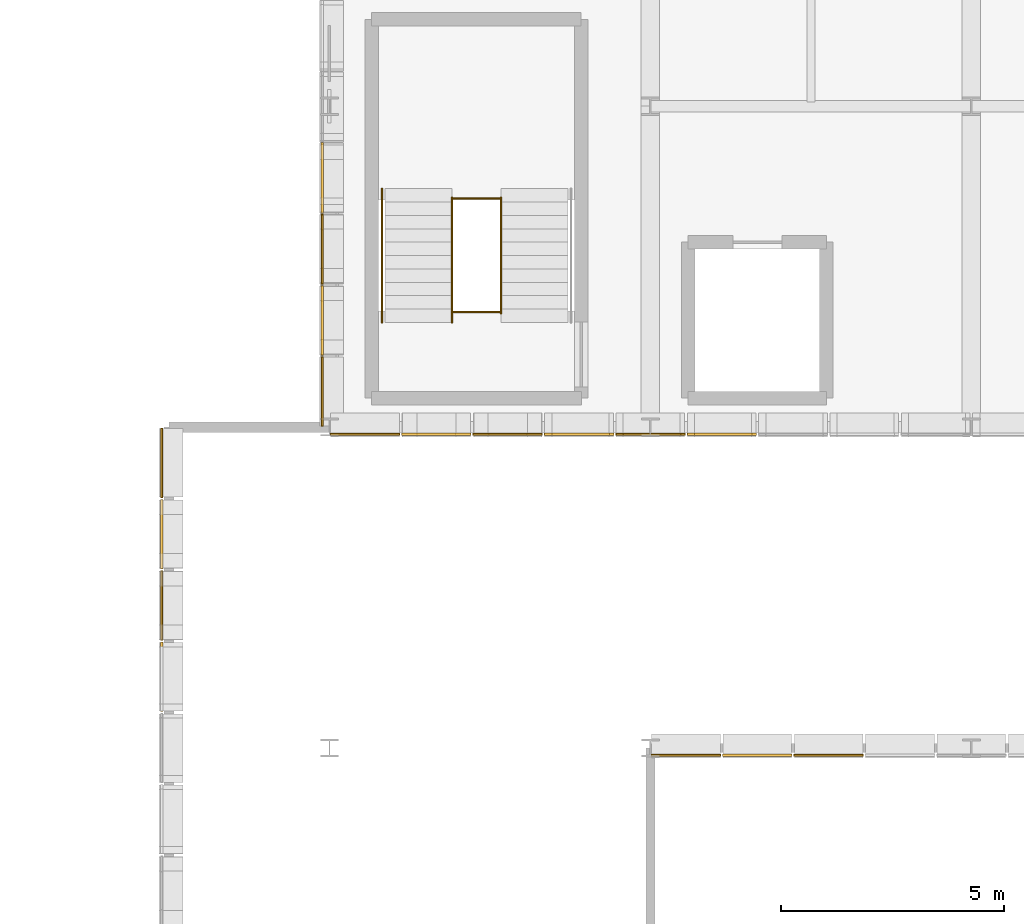
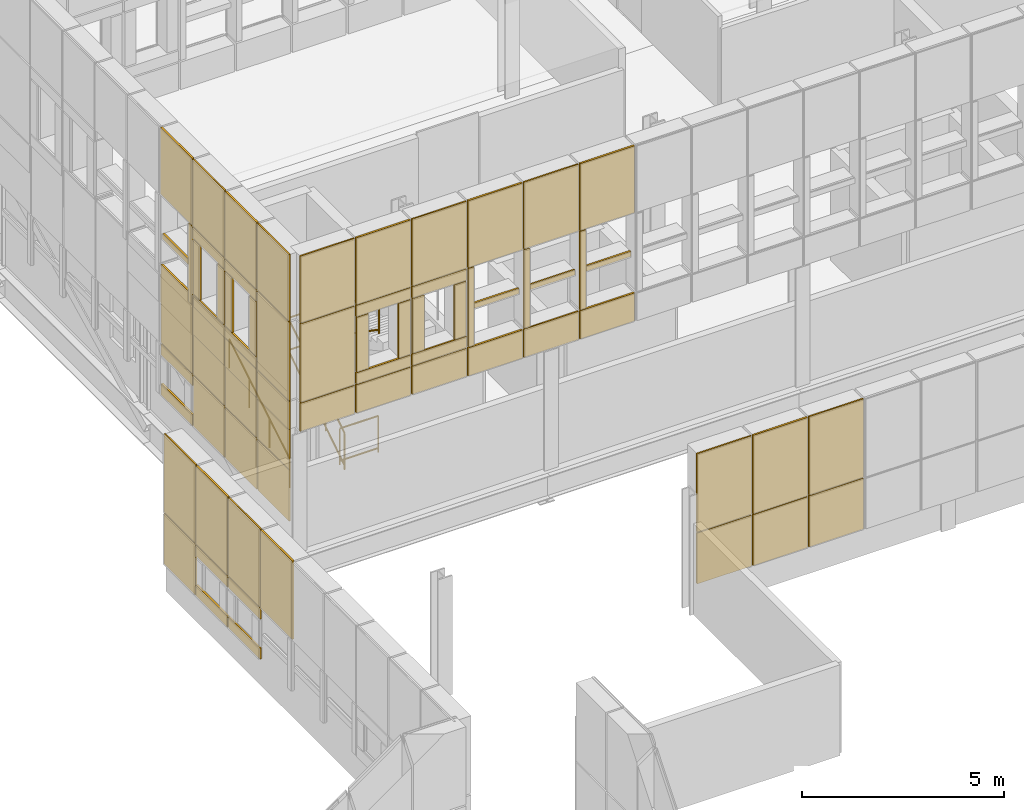
# One storey, part 78 of 96: 70 coverings, 5 railings.
"""IFC4 building model written with IfcOpenShell, lengths in metres."""

from ifc_helpers import new_model, si_unit, direction, frame, origin, origin_2d, place, context, subcontext, project, spatial, rectangle, circle, extrude, material, layer, layer_set, type_object, element, save


model = new_model("IFC4")

# Units and contexts
model_context = context("Model", 3, precision=1e-05, world=origin(), true_north=direction((0.0, 1.0)))
body_context = subcontext(model_context, "Body", "Model", "MODEL_VIEW")
ifc_project = project(units=[si_unit("LENGTHUNIT", "METRE"), si_unit("AREAUNIT", "SQUARE_METRE"), si_unit("VOLUMEUNIT", "CUBIC_METRE"), si_unit("PLANEANGLEUNIT", "RADIAN"), si_unit("MASSUNIT", "GRAM", prefix="KILO")], contexts=[model_context])

# Site, building, storey
site_placement = place(None, origin())
site = spatial("IfcSite", under=ifc_project, at=site_placement, CompositionType="ELEMENT")
building_placement = place(site_placement, origin())
building = spatial("IfcBuilding", under=site, at=building_placement, Name="Yarey Park Central Fire Station", CompositionType="ELEMENT")
storey_placement = place(building_placement, frame((0.0, 0.0, 14.39990234375)))
storey = spatial("IfcBuildingStorey", under=building, at=storey_placement, Name="L04", CompositionType="ELEMENT", Elevation=14.39990234375)

# Coverings
ifc_material_1 = material(Name="Perforated Powder-Coated Aluminium Cladding", Category="aluminium")
ifc_layer_1 = layer(ifc_material_1, 0.0419921875)
ifc_layer_set_1 = layer_set([ifc_layer_1], Name="Perforated Powder-Coated Aluminium Cladding")
covering_type_1 = type_object("IfcCoveringType", Name="ENV_COV_PERF_1", PredefinedType="CLADDING", material=ifc_layer_set_1)
for number, where, z_axis, x_axis, name in (
    (1, (25.0400390625, 53.60009765625, 0.85986328125), (0.0, 0.0, 1.0), (0.0, 1.0, 0.0), "PERF_L04_0580"),
    (2, (25.0400390625, 53.60009765625, 2.06982421875), (0.0, 0.0, 1.0), (0.0, 1.0, 0.0), "PERF_L04_0581"),
):
    element("IfcCovering", number, at=place(storey_placement, frame(where, z_axis=z_axis, x_axis=x_axis)), inside=storey, type_object=covering_type_1, Name=name, PredefinedType="CLADDING", context=body_context, shape_type="SweptSolid", body=[
        extrude(rectangle(XDim=1.56005859375, YDim=0.0419921875, at=origin_2d()), origin(), (0.0, 0.0, 1.0), 0.340087890625),
    ])
covering_1_placement = place(storey_placement, frame((25.0400390625, 53.60009765625, 2.43505859375), z_axis=(0.0, 0.0, 1.0), x_axis=(0.0, 1.0, 0.0)))
element("IfcCovering", 3, at=covering_1_placement, inside=storey, type_object=covering_type_1, Name="PERF_L04_0584", PredefinedType="CLADDING", context=body_context, shape_type="SweptSolid", body=[
    extrude(rectangle(XDim=1.56005859375, YDim=0.0419921875, at=origin_2d()), origin(), (0.0, 0.0, 1.0), 2.3701171875),
])
covering_2_placement = place(storey_placement, frame((25.0400390625, 56.800048828125, 0.864990234375), z_axis=(0.0, 0.0, 1.0), x_axis=(0.0, 1.0, 0.0)))
element("IfcCovering", 4, at=covering_2_placement, inside=storey, type_object=covering_type_1, Name="PERF_L04_0599", PredefinedType="CLADDING", context=body_context, shape_type="SweptSolid", body=[
    extrude(rectangle(XDim=1.56005859375, YDim=0.0419921875, at=origin_2d()), origin(), (0.0, 0.0, 1.0), 1.5400390625),
])
covering_3_placement = place(storey_placement, frame((25.0400390625, 56.800048828125, 2.43505859375), z_axis=(0.0, 0.0, 1.0), x_axis=(0.0, 1.0, 0.0)))
element("IfcCovering", 5, at=covering_3_placement, inside=storey, type_object=covering_type_1, Name="PERF_L04_0600", PredefinedType="CLADDING", context=body_context, shape_type="SweptSolid", body=[
    extrude(rectangle(XDim=1.56005859375, YDim=0.0419921875, at=origin_2d()), origin(), (0.0, 0.0, 1.0), 2.3701171875),
])
covering_4_placement = place(storey_placement, frame((28.639892578125, 58.396240234375, 0.864990234375), z_axis=(0.0, 0.0, 1.0), x_axis=(0.0, 1.0, 0.0)))
element("IfcCovering", 6, at=covering_4_placement, inside=storey, type_object=covering_type_1, Name="PERF_L04_0604", PredefinedType="CLADDING", context=body_context, shape_type="SweptSolid", body=[
    extrude(rectangle(XDim=1.55224609375, YDim=0.0419921875, at=origin_2d()), origin(), (0.0, 0.0, 1.0), 1.5400390625),
])
covering_5_placement = place(storey_placement, frame((28.639892578125, 58.396240234375, 2.43505859375), z_axis=(0.0, 0.0, 1.0), x_axis=(0.0, 1.0, 0.0)))
element("IfcCovering", 7, at=covering_5_placement, inside=storey, type_object=covering_type_1, Name="PERF_L04_0605", PredefinedType="CLADDING", context=body_context, shape_type="SweptSolid", body=[
    extrude(rectangle(XDim=1.55224609375, YDim=0.0419921875, at=origin_2d()), origin(), (0.0, 0.0, 1.0), 2.3701171875),
])
covering_6_placement = place(storey_placement, frame((28.639892578125, 61.580810546875, 0.864990234375), z_axis=(0.0, 0.0, 1.0), x_axis=(0.0, 1.0, 0.0)))
element("IfcCovering", 8, at=covering_6_placement, inside=storey, type_object=covering_type_1, Name="PERF_L04_0614", PredefinedType="CLADDING", context=body_context, shape_type="SweptSolid", body=[
    extrude(rectangle(XDim=1.55224609375, YDim=0.0419921875, at=origin_2d()), origin(), (0.0, 0.0, 1.0), 1.5400390625),
])
covering_7_placement = place(storey_placement, frame((28.639892578125, 61.580810546875, 2.43505859375), z_axis=(0.0, 0.0, 1.0), x_axis=(0.0, 1.0, 0.0)))
element("IfcCovering", 9, at=covering_7_placement, inside=storey, type_object=covering_type_1, Name="PERF_L04_0615", PredefinedType="CLADDING", context=body_context, shape_type="SweptSolid", body=[
    extrude(rectangle(XDim=1.55224609375, YDim=0.0419921875, at=origin_2d()), origin(), (0.0, 0.0, 1.0), 2.3701171875),
])
covering_8_placement = place(storey_placement, frame((36.800048828125, 50.239990234375, 0.864990234375), z_axis=(0.0, 0.0, 1.0), x_axis=(1.0, 0.0, 0.0)))
element("IfcCovering", 10, at=covering_8_placement, inside=storey, type_object=covering_type_1, Name="PERF_L04_1080", PredefinedType="CLADDING", context=body_context, shape_type="SweptSolid", body=[
    extrude(rectangle(XDim=1.56005859375, YDim=0.0419921875, at=origin_2d()), origin(), (0.0, 0.0, 1.0), 1.5400390625),
])
covering_9_placement = place(storey_placement, frame((36.800048828125, 50.239990234375, 2.43505859375), z_axis=(0.0, 0.0, 1.0), x_axis=(1.0, 0.0, 0.0)))
element("IfcCovering", 11, at=covering_9_placement, inside=storey, type_object=covering_type_1, Name="PERF_L04_1081", PredefinedType="CLADDING", context=body_context, shape_type="SweptSolid", body=[
    extrude(rectangle(XDim=1.56005859375, YDim=0.0419921875, at=origin_2d()), origin(), (0.0, 0.0, 1.0), 2.3701171875),
])
covering_10_placement = place(storey_placement, frame((40.0, 50.239990234375, 0.864990234375), z_axis=(0.0, 0.0, 1.0), x_axis=(1.0, 0.0, 0.0)))
element("IfcCovering", 12, at=covering_10_placement, inside=storey, type_object=covering_type_1, Name="PERF_L04_1090", PredefinedType="CLADDING", context=body_context, shape_type="SweptSolid", body=[
    extrude(rectangle(XDim=1.56005859375, YDim=0.0419921875, at=origin_2d()), origin(), (0.0, 0.0, 1.0), 1.5400390625),
])
covering_11_placement = place(storey_placement, frame((40.0, 50.239990234375, 2.43505859375), z_axis=(0.0, 0.0, 1.0), x_axis=(1.0, 0.0, 0.0)))
element("IfcCovering", 13, at=covering_11_placement, inside=storey, type_object=covering_type_1, Name="PERF_L04_1091", PredefinedType="CLADDING", context=body_context, shape_type="SweptSolid", body=[
    extrude(rectangle(XDim=1.56005859375, YDim=0.0419921875, at=origin_2d()), origin(), (0.0, 0.0, 1.0), 2.3701171875),
])
covering_12_placement = place(storey_placement, frame((29.60009765625, 57.43994140625, 3.635009765625), z_axis=(0.0, 0.0, 1.0), x_axis=(1.0, 0.0, 0.0)))
element("IfcCovering", 14, at=covering_12_placement, inside=storey, type_object=covering_type_1, Name="PERF_L04_1122", PredefinedType="CLADDING", context=body_context, shape_type="SweptSolid", body=[
    extrude(rectangle(XDim=1.56005859375, YDim=0.0419921875, at=origin_2d()), origin(), (0.0, 0.0, 1.0), 0.85009765625),
])
covering_13_placement = place(storey_placement, frame((29.60009765625, 57.43994140625, 4.51513671875), z_axis=(0.0, 0.0, 1.0), x_axis=(1.0, 0.0, 0.0)))
element("IfcCovering", 15, at=covering_13_placement, inside=storey, type_object=covering_type_1, Name="PERF_L04_1123", PredefinedType="CLADDING", context=body_context, shape_type="SweptSolid", body=[
    extrude(rectangle(XDim=1.56005859375, YDim=0.0419921875, at=origin_2d()), origin(), (0.0, 0.0, 1.0), 2.3701171875),
])
covering_14_placement = place(storey_placement, frame((29.60009765625, 57.43994140625, 6.9150390625), z_axis=(0.0, 0.0, 1.0), x_axis=(1.0, 0.0, 0.0)))
element("IfcCovering", 16, at=covering_14_placement, inside=storey, type_object=covering_type_1, Name="PERF_L04_1124", PredefinedType="CLADDING", context=body_context, shape_type="SweptSolid", body=[
    extrude(rectangle(XDim=1.56005859375, YDim=0.0419921875, at=origin_2d()), origin(), (0.0, 0.0, 1.0), 2.02001953125),
])
covering_15_placement = place(storey_placement, frame((32.800048828125, 57.43994140625, 3.635009765625), z_axis=(0.0, 0.0, 1.0), x_axis=(1.0, 0.0, 0.0)))
element("IfcCovering", 17, at=covering_15_placement, inside=storey, type_object=covering_type_1, Name="PERF_L04_1131", PredefinedType="CLADDING", context=body_context, shape_type="SweptSolid", body=[
    extrude(rectangle(XDim=1.56005859375, YDim=0.0419921875, at=origin_2d()), origin(), (0.0, 0.0, 1.0), 0.85009765625),
])
for number, where, z_axis, x_axis, name in (
    (18, (32.800048828125, 57.43994140625, 4.51025390625), (0.0, 0.0, 1.0), (1.0, 0.0, 0.0), "PERF_L04_1132"),
    (19, (32.800048828125, 57.43994140625, 6.55029296875), (0.0, 0.0, 1.0), (1.0, 0.0, 0.0), "PERF_L04_1133"),
):
    element("IfcCovering", number, at=place(storey_placement, frame(where, z_axis=z_axis, x_axis=x_axis)), inside=storey, type_object=covering_type_1, Name=name, PredefinedType="CLADDING", context=body_context, shape_type="SweptSolid", body=[
        extrude(rectangle(XDim=1.56005859375, YDim=0.0419921875, at=origin_2d()), origin(), (0.0, 0.0, 1.0), 0.340087890625),
    ])
for number, where, z_axis, x_axis, name in (
    (20, (32.199951171875, 57.43994140625, 4.875244140625), (0.0, 0.0, 1.0), (1.0, 0.0, 0.0), "PERF_L04_1134"),
    (21, (33.39990234375, 57.43994140625, 4.875244140625), (0.0, 0.0, 1.0), (1.0, 0.0, 0.0), "PERF_L04_1135"),
):
    element("IfcCovering", number, at=place(storey_placement, frame(where, z_axis=z_axis, x_axis=x_axis)), inside=storey, type_object=covering_type_1, Name=name, PredefinedType="CLADDING", context=body_context, shape_type="SweptSolid", body=[
        extrude(rectangle(XDim=0.340087890625, YDim=0.0419921875, at=origin_2d()), origin(), (0.0, 0.0, 1.0), 1.64990234375),
    ])
covering_16_placement = place(storey_placement, frame((32.800048828125, 57.43994140625, 6.9150390625), z_axis=(0.0, 0.0, 1.0), x_axis=(1.0, 0.0, 0.0)))
element("IfcCovering", 22, at=covering_16_placement, inside=storey, type_object=covering_type_1, Name="PERF_L04_1136", PredefinedType="CLADDING", context=body_context, shape_type="SweptSolid", body=[
    extrude(rectangle(XDim=1.56005859375, YDim=0.0419921875, at=origin_2d()), origin(), (0.0, 0.0, 1.0), 2.02001953125),
])
covering_17_placement = place(storey_placement, frame((36.0, 57.43994140625, 3.635009765625), z_axis=(0.0, 0.0, 1.0), x_axis=(1.0, 0.0, 0.0)))
element("IfcCovering", 23, at=covering_17_placement, inside=storey, type_object=covering_type_1, Name="PERF_L04_1141", PredefinedType="CLADDING", context=body_context, shape_type="SweptSolid", body=[
    extrude(rectangle(XDim=1.56005859375, YDim=0.0419921875, at=origin_2d()), origin(), (0.0, 0.0, 1.0), 0.85009765625),
])
covering_18_placement = place(storey_placement, frame((35.31005859375, 57.43994140625, 4.51513671875), z_axis=(0.0, 0.0, 1.0), x_axis=(1.0, 0.0, 0.0)))
element("IfcCovering", 24, at=covering_18_placement, inside=storey, type_object=covering_type_1, Name="PERF_L04_1142", PredefinedType="CLADDING", context=body_context, shape_type="SweptSolid", body=[
    extrude(rectangle(XDim=0.159912109375, YDim=0.0419921875, at=origin_2d()), origin(), (0.0, 0.0, 1.0), 2.3701171875),
])
covering_19_placement = place(storey_placement, frame((36.0, 57.43994140625, 5.6201171875), z_axis=(0.0, 0.0, 1.0), x_axis=(1.0, 0.0, 0.0)))
element("IfcCovering", 25, at=covering_19_placement, inside=storey, type_object=covering_type_1, Name="PERF_L04_1143", PredefinedType="CLADDING", context=body_context, shape_type="SweptSolid", body=[
    extrude(rectangle(XDim=1.360107421875, YDim=0.0419921875, at=origin_2d()), origin(), (0.0, 0.0, 1.0), 0.159912109375),
])
covering_20_placement = place(storey_placement, frame((36.0, 57.43994140625, 6.9150390625), z_axis=(0.0, 0.0, 1.0), x_axis=(1.0, 0.0, 0.0)))
element("IfcCovering", 26, at=covering_20_placement, inside=storey, type_object=covering_type_1, Name="PERF_L04_1144", PredefinedType="CLADDING", context=body_context, shape_type="SweptSolid", body=[
    extrude(rectangle(XDim=1.56005859375, YDim=0.0419921875, at=origin_2d()), origin(), (0.0, 0.0, 1.0), 2.02001953125),
])
covering_21_placement = place(storey_placement, frame((28.639892578125, 58.39990234375, 3.635009765625), z_axis=(0.0, 0.0, 1.0), x_axis=(0.0, 1.0, 0.0)))
element("IfcCovering", 27, at=covering_21_placement, inside=storey, type_object=covering_type_1, Name="PERF_L04_1278", PredefinedType="CLADDING", context=body_context, shape_type="SweptSolid", body=[
    extrude(rectangle(XDim=1.56005859375, YDim=0.0419921875, at=origin_2d()), origin(), (0.0, 0.0, 1.0), 0.85009765625),
])
covering_22_placement = place(storey_placement, frame((28.639892578125, 58.39990234375, 4.51513671875), z_axis=(0.0, 0.0, 1.0), x_axis=(0.0, 1.0, 0.0)))
element("IfcCovering", 28, at=covering_22_placement, inside=storey, type_object=covering_type_1, Name="PERF_L04_1279", PredefinedType="CLADDING", context=body_context, shape_type="SweptSolid", body=[
    extrude(rectangle(XDim=1.56005859375, YDim=0.0419921875, at=origin_2d()), origin(), (0.0, 0.0, 1.0), 2.3701171875),
])
covering_23_placement = place(storey_placement, frame((28.639892578125, 58.39990234375, 6.9150390625), z_axis=(0.0, 0.0, 1.0), x_axis=(0.0, 1.0, 0.0)))
element("IfcCovering", 29, at=covering_23_placement, inside=storey, type_object=covering_type_1, Name="PERF_L04_1280", PredefinedType="CLADDING", context=body_context, shape_type="SweptSolid", body=[
    extrude(rectangle(XDim=1.56005859375, YDim=0.0419921875, at=origin_2d()), origin(), (0.0, 0.0, 1.0), 2.02001953125),
])
covering_24_placement = place(storey_placement, frame((28.639892578125, 61.60009765625, 3.635009765625), z_axis=(0.0, 0.0, 1.0), x_axis=(0.0, 1.0, 0.0)))
element("IfcCovering", 30, at=covering_24_placement, inside=storey, type_object=covering_type_1, Name="PERF_L04_1287", PredefinedType="CLADDING", context=body_context, shape_type="SweptSolid", body=[
    extrude(rectangle(XDim=1.56005859375, YDim=0.0419921875, at=origin_2d()), origin(), (0.0, 0.0, 1.0), 0.85009765625),
])
for number, where, z_axis, x_axis, name in (
    (31, (28.639892578125, 61.60009765625, 4.51025390625), (0.0, 0.0, 1.0), (0.0, 1.0, 0.0), "PERF_L04_1288"),
    (32, (28.639892578125, 61.60009765625, 6.55029296875), (0.0, 0.0, 1.0), (0.0, 1.0, 0.0), "PERF_L04_1289"),
):
    element("IfcCovering", number, at=place(storey_placement, frame(where, z_axis=z_axis, x_axis=x_axis)), inside=storey, type_object=covering_type_1, Name=name, PredefinedType="CLADDING", context=body_context, shape_type="SweptSolid", body=[
        extrude(rectangle(XDim=1.56005859375, YDim=0.0419921875, at=origin_2d()), origin(), (0.0, 0.0, 1.0), 0.340087890625),
    ])
for number, where, z_axis, x_axis, name in (
    (33, (28.639892578125, 61.0, 4.875244140625), (0.0, 0.0, 1.0), (0.0, 1.0, 0.0), "PERF_L04_1290"),
    (34, (28.639892578125, 62.199951171875, 4.875244140625), (0.0, 0.0, 1.0), (0.0, 1.0, 0.0), "PERF_L04_1291"),
):
    element("IfcCovering", number, at=place(storey_placement, frame(where, z_axis=z_axis, x_axis=x_axis)), inside=storey, type_object=covering_type_1, Name=name, PredefinedType="CLADDING", context=body_context, shape_type="SweptSolid", body=[
        extrude(rectangle(XDim=0.340087890625, YDim=0.0419921875, at=origin_2d()), origin(), (0.0, 0.0, 1.0), 1.64990234375),
    ])
covering_25_placement = place(storey_placement, frame((28.639892578125, 61.60009765625, 6.9150390625), z_axis=(0.0, 0.0, 1.0), x_axis=(0.0, 1.0, 0.0)))
element("IfcCovering", 35, at=covering_25_placement, inside=storey, type_object=covering_type_1, Name="PERF_L04_1292", PredefinedType="CLADDING", context=body_context, shape_type="SweptSolid", body=[
    extrude(rectangle(XDim=1.56005859375, YDim=0.0419921875, at=origin_2d()), origin(), (0.0, 0.0, 1.0), 2.02001953125),
])
ifc_layer_2 = layer(ifc_material_1, 0.053955078125)
ifc_layer_set_2 = layer_set([ifc_layer_2], Name="Perforated Powder-Coated Aluminium Cladding")
covering_type_2 = type_object("IfcCoveringType", Name="ENV_COV_PERF_2", PredefinedType="CLADDING", material=ifc_layer_set_2)
covering_26_placement = place(storey_placement, frame((25.0400390625, 52.0, 2.43505859375), z_axis=(0.0, 0.0, 1.0), x_axis=(0.0, 1.0, 0.0)))
element("IfcCovering", 36, at=covering_26_placement, inside=storey, type_object=covering_type_2, Name="PERF_L04_0573", PredefinedType="CLADDING", context=body_context, shape_type="SweptSolid", body=[
    extrude(rectangle(XDim=1.56005859375, YDim=0.053955078125, at=origin_2d()), origin(), (0.0, 0.0, 1.0), 2.3701171875),
])
for number, where, z_axis, x_axis, name in (
    (37, (25.0400390625, 55.199951171875, 0.85986328125), (0.0, 0.0, 1.0), (0.0, 1.0, 0.0), "PERF_L04_0591"),
    (38, (25.0400390625, 55.199951171875, 2.06982421875), (0.0, 0.0, 1.0), (0.0, 1.0, 0.0), "PERF_L04_0592"),
):
    element("IfcCovering", number, at=place(storey_placement, frame(where, z_axis=z_axis, x_axis=x_axis)), inside=storey, type_object=covering_type_2, Name=name, PredefinedType="CLADDING", context=body_context, shape_type="SweptSolid", body=[
        extrude(rectangle(XDim=1.56005859375, YDim=0.053955078125, at=origin_2d()), origin(), (0.0, 0.0, 1.0), 0.340087890625),
    ])
covering_27_placement = place(storey_placement, frame((25.0400390625, 55.199951171875, 2.43505859375), z_axis=(0.0, 0.0, 1.0), x_axis=(0.0, 1.0, 0.0)))
element("IfcCovering", 39, at=covering_27_placement, inside=storey, type_object=covering_type_2, Name="PERF_L04_0595", PredefinedType="CLADDING", context=body_context, shape_type="SweptSolid", body=[
    extrude(rectangle(XDim=1.56005859375, YDim=0.053955078125, at=origin_2d()), origin(), (0.0, 0.0, 1.0), 2.3701171875),
])
covering_28_placement = place(storey_placement, frame((28.639892578125, 59.988525390625, 0.864990234375), z_axis=(0.0, 0.0, 1.0), x_axis=(0.0, 1.0, 0.0)))
element("IfcCovering", 40, at=covering_28_placement, inside=storey, type_object=covering_type_2, Name="PERF_L04_0609", PredefinedType="CLADDING", context=body_context, shape_type="SweptSolid", body=[
    extrude(rectangle(XDim=1.55224609375, YDim=0.053955078125, at=origin_2d()), origin(), (0.0, 0.0, 1.0), 1.5400390625),
])
covering_29_placement = place(storey_placement, frame((28.639892578125, 59.988525390625, 2.43505859375), z_axis=(0.0, 0.0, 1.0), x_axis=(0.0, 1.0, 0.0)))
element("IfcCovering", 41, at=covering_29_placement, inside=storey, type_object=covering_type_2, Name="PERF_L04_0610", PredefinedType="CLADDING", context=body_context, shape_type="SweptSolid", body=[
    extrude(rectangle(XDim=1.55224609375, YDim=0.053955078125, at=origin_2d()), origin(), (0.0, 0.0, 1.0), 2.3701171875),
])
for number, where, z_axis, x_axis, name in (
    (42, (28.639892578125, 63.173095703125, 0.85986328125), (0.0, 0.0, 1.0), (0.0, 1.0, 0.0), "PERF_L04_0622"),
    (43, (28.639892578125, 63.173095703125, 2.06982421875), (0.0, 0.0, 1.0), (0.0, 1.0, 0.0), "PERF_L04_0623"),
):
    element("IfcCovering", number, at=place(storey_placement, frame(where, z_axis=z_axis, x_axis=x_axis)), inside=storey, type_object=covering_type_2, Name=name, PredefinedType="CLADDING", context=body_context, shape_type="SweptSolid", body=[
        extrude(rectangle(XDim=1.55224609375, YDim=0.053955078125, at=origin_2d()), origin(), (0.0, 0.0, 1.0), 0.340087890625),
    ])
covering_30_placement = place(storey_placement, frame((28.639892578125, 63.173095703125, 2.43505859375), z_axis=(0.0, 0.0, 1.0), x_axis=(0.0, 1.0, 0.0)))
element("IfcCovering", 44, at=covering_30_placement, inside=storey, type_object=covering_type_2, Name="PERF_L04_0626", PredefinedType="CLADDING", context=body_context, shape_type="SweptSolid", body=[
    extrude(rectangle(XDim=1.55224609375, YDim=0.053955078125, at=origin_2d()), origin(), (0.0, 0.0, 1.0), 2.3701171875),
])
covering_31_placement = place(storey_placement, frame((38.39990234375, 50.239990234375, 0.864990234375), z_axis=(0.0, 0.0, 1.0), x_axis=(1.0, 0.0, 0.0)))
element("IfcCovering", 45, at=covering_31_placement, inside=storey, type_object=covering_type_2, Name="PERF_L04_1085", PredefinedType="CLADDING", context=body_context, shape_type="SweptSolid", body=[
    extrude(rectangle(XDim=1.56005859375, YDim=0.053955078125, at=origin_2d()), origin(), (0.0, 0.0, 1.0), 1.5400390625),
])
covering_32_placement = place(storey_placement, frame((38.39990234375, 50.239990234375, 2.43505859375), z_axis=(0.0, 0.0, 1.0), x_axis=(1.0, 0.0, 0.0)))
element("IfcCovering", 46, at=covering_32_placement, inside=storey, type_object=covering_type_2, Name="PERF_L04_1086", PredefinedType="CLADDING", context=body_context, shape_type="SweptSolid", body=[
    extrude(rectangle(XDim=1.56005859375, YDim=0.053955078125, at=origin_2d()), origin(), (0.0, 0.0, 1.0), 2.3701171875),
])
covering_33_placement = place(storey_placement, frame((31.199951171875, 57.43994140625, 3.635009765625), z_axis=(0.0, 0.0, 1.0), x_axis=(1.0, 0.0, 0.0)))
element("IfcCovering", 47, at=covering_33_placement, inside=storey, type_object=covering_type_2, Name="PERF_L04_1125", PredefinedType="CLADDING", context=body_context, shape_type="SweptSolid", body=[
    extrude(rectangle(XDim=1.56005859375, YDim=0.053955078125, at=origin_2d()), origin(), (0.0, 0.0, 1.0), 0.85009765625),
])
for number, where, z_axis, x_axis, name in (
    (48, (31.199951171875, 57.43994140625, 4.51025390625), (0.0, 0.0, 1.0), (1.0, 0.0, 0.0), "PERF_L04_1126"),
    (49, (31.199951171875, 57.43994140625, 6.55029296875), (0.0, 0.0, 1.0), (1.0, 0.0, 0.0), "PERF_L04_1127"),
):
    element("IfcCovering", number, at=place(storey_placement, frame(where, z_axis=z_axis, x_axis=x_axis)), inside=storey, type_object=covering_type_2, Name=name, PredefinedType="CLADDING", context=body_context, shape_type="SweptSolid", body=[
        extrude(rectangle(XDim=1.56005859375, YDim=0.053955078125, at=origin_2d()), origin(), (0.0, 0.0, 1.0), 0.340087890625),
    ])
for number, where, z_axis, x_axis, name in (
    (50, (30.60009765625, 57.43994140625, 4.875244140625), (0.0, 0.0, 1.0), (1.0, 0.0, 0.0), "PERF_L04_1128"),
    (51, (31.800048828125, 57.43994140625, 4.875244140625), (0.0, 0.0, 1.0), (1.0, 0.0, 0.0), "PERF_L04_1129"),
):
    element("IfcCovering", number, at=place(storey_placement, frame(where, z_axis=z_axis, x_axis=x_axis)), inside=storey, type_object=covering_type_2, Name=name, PredefinedType="CLADDING", context=body_context, shape_type="SweptSolid", body=[
        extrude(rectangle(XDim=0.340087890625, YDim=0.053955078125, at=origin_2d()), origin(), (0.0, 0.0, 1.0), 1.64990234375),
    ])
covering_34_placement = place(storey_placement, frame((31.199951171875, 57.43994140625, 6.9150390625), z_axis=(0.0, 0.0, 1.0), x_axis=(1.0, 0.0, 0.0)))
element("IfcCovering", 52, at=covering_34_placement, inside=storey, type_object=covering_type_2, Name="PERF_L04_1130", PredefinedType="CLADDING", context=body_context, shape_type="SweptSolid", body=[
    extrude(rectangle(XDim=1.56005859375, YDim=0.053955078125, at=origin_2d()), origin(), (0.0, 0.0, 1.0), 2.02001953125),
])
covering_35_placement = place(storey_placement, frame((34.39990234375, 57.43994140625, 3.635009765625), z_axis=(0.0, 0.0, 1.0), x_axis=(1.0, 0.0, 0.0)))
element("IfcCovering", 53, at=covering_35_placement, inside=storey, type_object=covering_type_2, Name="PERF_L04_1137", PredefinedType="CLADDING", context=body_context, shape_type="SweptSolid", body=[
    extrude(rectangle(XDim=1.56005859375, YDim=0.053955078125, at=origin_2d()), origin(), (0.0, 0.0, 1.0), 0.85009765625),
])
covering_36_placement = place(storey_placement, frame((33.7099609375, 57.43994140625, 4.51513671875), z_axis=(0.0, 0.0, 1.0), x_axis=(1.0, 0.0, 0.0)))
element("IfcCovering", 54, at=covering_36_placement, inside=storey, type_object=covering_type_2, Name="PERF_L04_1138", PredefinedType="CLADDING", context=body_context, shape_type="SweptSolid", body=[
    extrude(rectangle(XDim=0.159912109375, YDim=0.053955078125, at=origin_2d()), origin(), (0.0, 0.0, 1.0), 2.3701171875),
])
covering_37_placement = place(storey_placement, frame((34.39990234375, 57.43994140625, 5.6201171875), z_axis=(0.0, 0.0, 1.0), x_axis=(1.0, 0.0, 0.0)))
element("IfcCovering", 55, at=covering_37_placement, inside=storey, type_object=covering_type_2, Name="PERF_L04_1139", PredefinedType="CLADDING", context=body_context, shape_type="SweptSolid", body=[
    extrude(rectangle(XDim=1.360107421875, YDim=0.053955078125, at=origin_2d()), origin(), (0.0, 0.0, 1.0), 0.159912109375),
])
covering_38_placement = place(storey_placement, frame((34.39990234375, 57.43994140625, 6.9150390625), z_axis=(0.0, 0.0, 1.0), x_axis=(1.0, 0.0, 0.0)))
element("IfcCovering", 56, at=covering_38_placement, inside=storey, type_object=covering_type_2, Name="PERF_L04_1140", PredefinedType="CLADDING", context=body_context, shape_type="SweptSolid", body=[
    extrude(rectangle(XDim=1.56005859375, YDim=0.053955078125, at=origin_2d()), origin(), (0.0, 0.0, 1.0), 2.02001953125),
])
covering_39_placement = place(storey_placement, frame((37.60009765625, 57.43994140625, 3.635009765625), z_axis=(0.0, 0.0, 1.0), x_axis=(1.0, 0.0, 0.0)))
element("IfcCovering", 57, at=covering_39_placement, inside=storey, type_object=covering_type_2, Name="PERF_L04_1145", PredefinedType="CLADDING", context=body_context, shape_type="SweptSolid", body=[
    extrude(rectangle(XDim=1.56005859375, YDim=0.053955078125, at=origin_2d()), origin(), (0.0, 0.0, 1.0), 0.85009765625),
])
covering_40_placement = place(storey_placement, frame((36.909912109375, 57.43994140625, 4.51513671875), z_axis=(0.0, 0.0, 1.0), x_axis=(1.0, 0.0, 0.0)))
element("IfcCovering", 58, at=covering_40_placement, inside=storey, type_object=covering_type_2, Name="PERF_L04_1146", PredefinedType="CLADDING", context=body_context, shape_type="SweptSolid", body=[
    extrude(rectangle(XDim=0.159912109375, YDim=0.053955078125, at=origin_2d()), origin(), (0.0, 0.0, 1.0), 2.3701171875),
])
covering_41_placement = place(storey_placement, frame((37.60009765625, 57.43994140625, 5.6201171875), z_axis=(0.0, 0.0, 1.0), x_axis=(1.0, 0.0, 0.0)))
element("IfcCovering", 59, at=covering_41_placement, inside=storey, type_object=covering_type_2, Name="PERF_L04_1147", PredefinedType="CLADDING", context=body_context, shape_type="SweptSolid", body=[
    extrude(rectangle(XDim=1.360107421875, YDim=0.053955078125, at=origin_2d()), origin(), (0.0, 0.0, 1.0), 0.159912109375),
])
covering_42_placement = place(storey_placement, frame((37.60009765625, 57.43994140625, 6.9150390625), z_axis=(0.0, 0.0, 1.0), x_axis=(1.0, 0.0, 0.0)))
element("IfcCovering", 60, at=covering_42_placement, inside=storey, type_object=covering_type_2, Name="PERF_L04_1148", PredefinedType="CLADDING", context=body_context, shape_type="SweptSolid", body=[
    extrude(rectangle(XDim=1.56005859375, YDim=0.053955078125, at=origin_2d()), origin(), (0.0, 0.0, 1.0), 2.02001953125),
])
covering_43_placement = place(storey_placement, frame((28.639892578125, 60.0, 3.635009765625), z_axis=(0.0, 0.0, 1.0), x_axis=(0.0, 1.0, 0.0)))
element("IfcCovering", 61, at=covering_43_placement, inside=storey, type_object=covering_type_2, Name="PERF_L04_1281", PredefinedType="CLADDING", context=body_context, shape_type="SweptSolid", body=[
    extrude(rectangle(XDim=1.56005859375, YDim=0.053955078125, at=origin_2d()), origin(), (0.0, 0.0, 1.0), 0.85009765625),
])
for number, where, z_axis, x_axis, name in (
    (62, (28.639892578125, 60.0, 4.51025390625), (0.0, 0.0, 1.0), (0.0, 1.0, 0.0), "PERF_L04_1282"),
    (63, (28.639892578125, 60.0, 6.55029296875), (0.0, 0.0, 1.0), (0.0, 1.0, 0.0), "PERF_L04_1283"),
):
    element("IfcCovering", number, at=place(storey_placement, frame(where, z_axis=z_axis, x_axis=x_axis)), inside=storey, type_object=covering_type_2, Name=name, PredefinedType="CLADDING", context=body_context, shape_type="SweptSolid", body=[
        extrude(rectangle(XDim=1.56005859375, YDim=0.053955078125, at=origin_2d()), origin(), (0.0, 0.0, 1.0), 0.340087890625),
    ])
for number, where, z_axis, x_axis, name in (
    (64, (28.639892578125, 59.39990234375, 4.875244140625), (0.0, 0.0, 1.0), (0.0, 1.0, 0.0), "PERF_L04_1284"),
    (65, (28.639892578125, 60.60009765625, 4.875244140625), (0.0, 0.0, 1.0), (0.0, 1.0, 0.0), "PERF_L04_1285"),
):
    element("IfcCovering", number, at=place(storey_placement, frame(where, z_axis=z_axis, x_axis=x_axis)), inside=storey, type_object=covering_type_2, Name=name, PredefinedType="CLADDING", context=body_context, shape_type="SweptSolid", body=[
        extrude(rectangle(XDim=0.340087890625, YDim=0.053955078125, at=origin_2d()), origin(), (0.0, 0.0, 1.0), 1.64990234375),
    ])
covering_44_placement = place(storey_placement, frame((28.639892578125, 60.0, 6.9150390625), z_axis=(0.0, 0.0, 1.0), x_axis=(0.0, 1.0, 0.0)))
element("IfcCovering", 66, at=covering_44_placement, inside=storey, type_object=covering_type_2, Name="PERF_L04_1286", PredefinedType="CLADDING", context=body_context, shape_type="SweptSolid", body=[
    extrude(rectangle(XDim=1.56005859375, YDim=0.053955078125, at=origin_2d()), origin(), (0.0, 0.0, 1.0), 2.02001953125),
])
covering_45_placement = place(storey_placement, frame((28.639892578125, 63.199951171875, 3.635009765625), z_axis=(0.0, 0.0, 1.0), x_axis=(0.0, 1.0, 0.0)))
element("IfcCovering", 67, at=covering_45_placement, inside=storey, type_object=covering_type_2, Name="PERF_L04_1293", PredefinedType="CLADDING", context=body_context, shape_type="SweptSolid", body=[
    extrude(rectangle(XDim=1.56005859375, YDim=0.053955078125, at=origin_2d()), origin(), (0.0, 0.0, 1.0), 0.85009765625),
])
covering_46_placement = place(storey_placement, frame((28.639892578125, 62.510009765625, 4.51513671875), z_axis=(0.0, 0.0, 1.0), x_axis=(0.0, 1.0, 0.0)))
element("IfcCovering", 68, at=covering_46_placement, inside=storey, type_object=covering_type_2, Name="PERF_L04_1294", PredefinedType="CLADDING", context=body_context, shape_type="SweptSolid", body=[
    extrude(rectangle(XDim=0.159912109375, YDim=0.053955078125, at=origin_2d()), origin(), (0.0, 0.0, 1.0), 2.3701171875),
])
covering_47_placement = place(storey_placement, frame((28.639892578125, 63.199951171875, 5.6201171875), z_axis=(0.0, 0.0, 1.0), x_axis=(0.0, 1.0, 0.0)))
element("IfcCovering", 69, at=covering_47_placement, inside=storey, type_object=covering_type_2, Name="PERF_L04_1295", PredefinedType="CLADDING", context=body_context, shape_type="SweptSolid", body=[
    extrude(rectangle(XDim=1.360107421875, YDim=0.053955078125, at=origin_2d()), origin(), (0.0, 0.0, 1.0), 0.159912109375),
])
covering_48_placement = place(storey_placement, frame((28.639892578125, 63.199951171875, 6.9150390625), z_axis=(0.0, 0.0, 1.0), x_axis=(0.0, 1.0, 0.0)))
element("IfcCovering", 70, at=covering_48_placement, inside=storey, type_object=covering_type_2, Name="PERF_L04_1296", PredefinedType="CLADDING", context=body_context, shape_type="SweptSolid", body=[
    extrude(rectangle(XDim=1.56005859375, YDim=0.053955078125, at=origin_2d()), origin(), (0.0, 0.0, 1.0), 2.02001953125),
])

# Railings
ifc_material_2 = material(Name="Galvanized Steel Balustrade", Category="steel")
railing_type_1 = type_object("IfcRailingType", Name="INT_RAIL_GUARD112", PredefinedType="BALUSTRADE", material=ifc_material_2)
railing_1_placement = place(storey_placement, frame((31.550048828125, 59.949951171875, 0.0)))
element("IfcRailing", 71, at=railing_1_placement, inside=storey, type_object=railing_type_1, Name="GRD_C3_L04_F1", PredefinedType="BALUSTRADE", context=body_context, shape_type="SweptSolid", body=[
    extrude(circle(Radius=0.02392578125, at=origin_2d()), frame((0.0, 0.0, 1.09619140625), z_axis=(0.0, 0.841176092368, 0.540761298198), x_axis=(-1.0, 0.0, 0.0)), (0.0, 0.0, 1.0), 3.32861328125),
    extrude(circle(Radius=0.02392578125, at=origin_2d()), frame((0.0, 0.0, 0.1201171875), z_axis=(0.0, 0.841176092368, 0.540761298198), x_axis=(-1.0, 0.0, 0.0)), (0.0, 0.0, 1.0), 3.32861328125),
    extrude(circle(Radius=0.02099609375, at=origin_2d()), origin(), (0.0, 0.0, 1.0), 1.072021484375),
    extrude(circle(Radius=0.02099609375, at=origin_2d()), frame((0.0, 0.933349609375, 0.60009765625)), (0.0, 0.0, 1.0), 1.072021484375),
    extrude(circle(Radius=0.02099609375, at=origin_2d()), frame((0.0, 1.86669921875, 1.199951171875)), (0.0, 0.0, 1.0), 1.072021484375),
    extrude(circle(Radius=0.02099609375, at=origin_2d()), frame((0.0, 2.800048828125, 1.800048828125)), (0.0, 0.0, 1.0), 1.072021484375),
])
railing_2_placement = place(storey_placement, frame((32.64990234375, 62.75, 1.800048828125)))
element("IfcRailing", 72, at=railing_2_placement, inside=storey, type_object=railing_type_1, Name="GRD_C3_L04_F2", PredefinedType="BALUSTRADE", context=body_context, shape_type="SweptSolid", body=[
    extrude(circle(Radius=0.02392578125, at=origin_2d()), frame((0.0, 0.0, 1.09619140625), z_axis=(0.0, -0.822194970885, 0.56920596435), x_axis=(1.0, 0.0, 0.0)), (0.0, 0.0, 1.0), 3.162353515625),
    extrude(circle(Radius=0.02392578125, at=origin_2d()), frame((0.0, 0.0, 0.1201171875), z_axis=(0.0, -0.822194970885, 0.56920596435), x_axis=(1.0, 0.0, 0.0)), (0.0, 0.0, 1.0), 3.162353515625),
    extrude(circle(Radius=0.02099609375, at=origin_2d()), origin(), (0.0, 0.0, 1.0), 1.072021484375),
    extrude(circle(Radius=0.02099609375, at=origin_2d()), frame((0.0, -0.86669921875, 0.60009765625)), (0.0, 0.0, 1.0), 1.072021484375),
    extrude(circle(Radius=0.02099609375, at=origin_2d()), frame((0.0, -1.7333984375, 1.199951171875)), (0.0, 0.0, 1.0), 1.072021484375),
    extrude(circle(Radius=0.02099609375, at=origin_2d()), frame((0.0, -2.60009765625, 1.800048828125)), (0.0, 0.0, 1.0), 1.072021484375),
])
for number, where, name in (
    (73, (31.550048828125, 62.72998046875, 1.800048828125), "GRD_C3_L04_SLOT_MID"),
    (74, (31.550048828125, 60.179931640625, 0.0), "GRD_C3_L04_SLOT_BOT"),
):
    element("IfcRailing", number, at=place(storey_placement, frame(where)), inside=storey, type_object=railing_type_1, Name=name, PredefinedType="BALUSTRADE", context=body_context, shape_type="SweptSolid", body=[
        extrude(circle(Radius=0.02392578125, at=origin_2d()), frame((0.0, 0.0, 1.09619140625), z_axis=(1.0, 0.0, 0.0), x_axis=(0.0, 1.0, 0.0)), (0.0, 0.0, 1.0), 1.099853515625),
        extrude(circle(Radius=0.02392578125, at=origin_2d()), frame((0.0, 0.0, 0.1201171875), z_axis=(1.0, 0.0, 0.0), x_axis=(0.0, 1.0, 0.0)), (0.0, 0.0, 1.0), 1.099853515625),
        extrude(circle(Radius=0.02099609375, at=origin_2d()), origin(), (0.0, 0.0, 1.0), 1.072021484375),
        extrude(circle(Radius=0.02099609375, at=origin_2d()), frame((1.099853515625, 0.0, 0.0)), (0.0, 0.0, 1.0), 1.072021484375),
    ])
ifc_material_3 = material(Name="Stainless Steel AISI 316L", Category="steel")
railing_type_2 = type_object("IfcRailingType", Name="INT_RAIL_HAND090", PredefinedType="HANDRAIL", material=ifc_material_3)
railing_3_placement = place(storey_placement, frame((29.97998046875, 59.949951171875, 0.0)))
element("IfcRailing", 75, at=railing_3_placement, inside=storey, type_object=railing_type_2, Name="HR_C3_L04_F1", PredefinedType="HANDRAIL", context=body_context, shape_type="SweptSolid", body=[
    extrude(circle(Radius=0.02392578125, at=origin_2d()), frame((0.0, 0.0, 0.8759765625), z_axis=(0.0, 0.857486768376, 0.514506017516), x_axis=(-1.0, 0.0, 0.0)), (0.0, 0.0, 1.0), 3.49853515625),
    extrude(circle(Radius=0.02099609375, at=origin_2d()), origin(), (0.0, 0.0, 1.0), 0.851806640625),
    extrude(circle(Radius=0.02099609375, at=origin_2d()), frame((0.0, 1.0, 0.60009765625)), (0.0, 0.0, 1.0), 0.851806640625),
    extrude(circle(Radius=0.02099609375, at=origin_2d()), frame((0.0, 2.0, 1.199951171875)), (0.0, 0.0, 1.0), 0.851806640625),
    extrude(circle(Radius=0.02099609375, at=origin_2d()), frame((0.0, 3.0, 1.800048828125)), (0.0, 0.0, 1.0), 0.851806640625),
])

save(model, "model.ifc")
